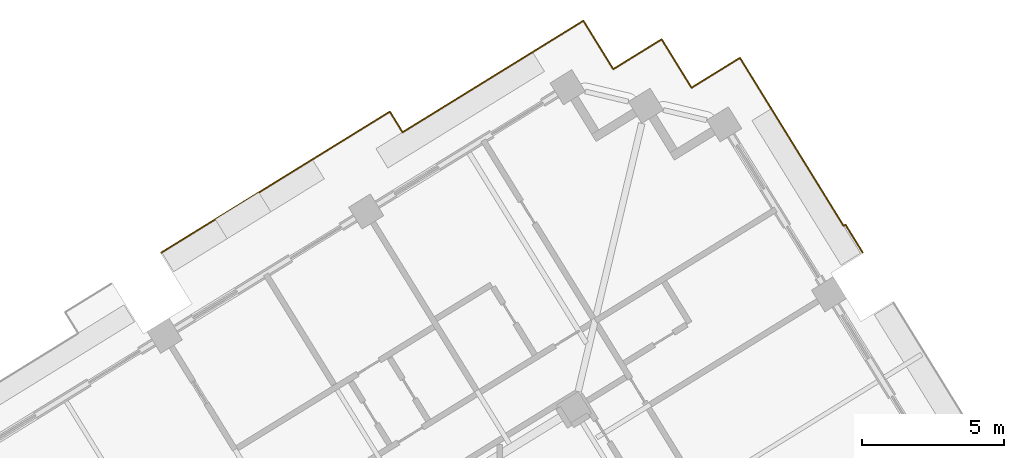
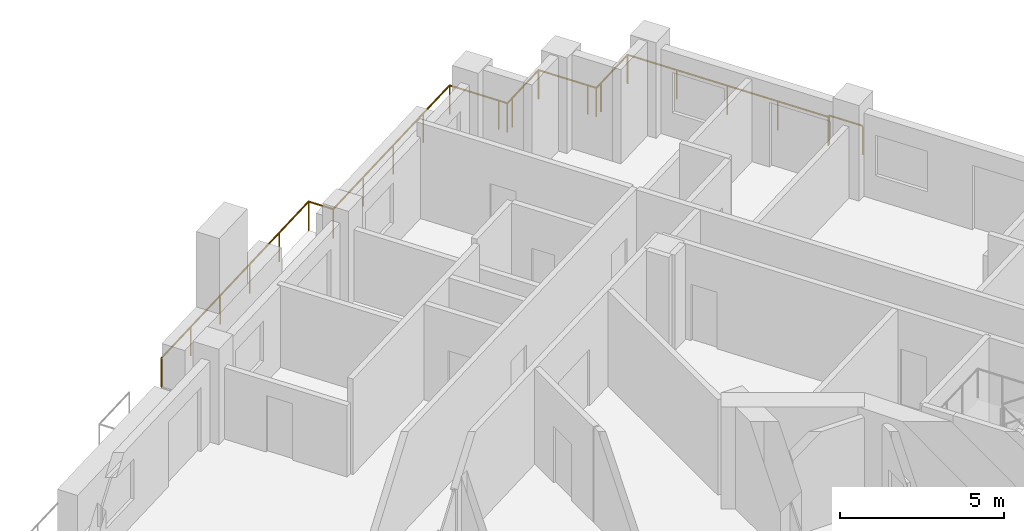
# One storey, part 21 of 22: 2 railings.
"""IFC4 building model written with IfcOpenShell, lengths in metres."""

from ifc_helpers import new_model, si_unit, direction, frame, origin, origin_2d, place, context, subcontext, project, spatial, circle, extrude, material, type_object, element, save


model = new_model("IFC4")

# Units and contexts
model_context = context("Model", 3, precision=1e-05, world=origin(), true_north=direction((0.0, 1.0)))
body_context = subcontext(model_context, "Body", "Model", "MODEL_VIEW")
ifc_project = project(units=[si_unit("LENGTHUNIT", "METRE"), si_unit("AREAUNIT", "SQUARE_METRE"), si_unit("VOLUMEUNIT", "CUBIC_METRE"), si_unit("PLANEANGLEUNIT", "RADIAN"), si_unit("MASSUNIT", "GRAM", prefix="KILO")], contexts=[model_context])

# Site, building, storey
site_placement = place(None, origin())
site = spatial("IfcSite", under=ifc_project, at=site_placement, CompositionType="ELEMENT")
building_placement = place(site_placement, origin())
building = spatial("IfcBuilding", under=site, at=building_placement, Name="Cantera Rosa Tower", CompositionType="ELEMENT")
storey_placement = place(building_placement, frame((0.0, 0.0, 178.0)))
storey = spatial("IfcBuildingStorey", under=building, at=storey_placement, Name="L39", CompositionType="ELEMENT", Elevation=178.0)

# Railings
ifc_material = material(Name="Stainless steel and laminated glass", Category="steel")
railing_type = type_object("IfcRailingType", Name="GUARD 1100", PredefinedType="BALUSTRADE", material=ifc_material)
railing_1_placement = place(storey_placement, frame((12.44873046875, 30.2958984375, 0.0)))
element("IfcRailing", 1, at=railing_1_placement, inside=storey, type_object=railing_type, Name="GUARD L39-14", PredefinedType="BALUSTRADE", context=body_context, shape_type="SweptSolid", body=[
    extrude(circle(Radius=0.030029296875, at=origin_2d()), frame((0.0, 0.0, 1.070068359375), z_axis=(0.524994468487, -0.851105638601, 0.0), x_axis=(0.851105638601, 0.524994468487, 0.0)), (0.0, 0.0, 1.0), 1.7001953125),
    extrude(circle(Radius=0.030029296875, at=origin_2d()), frame((0.892578125, -1.447021484375, 1.070068359375), z_axis=(0.524980961903, -0.85111396983, 0.0), x_axis=(0.85111396983, 0.524980961903, 0.0)), (0.0, 0.0, 1.0), 5.240234375),
    extrude(circle(Radius=0.030029296875, at=origin_2d()), frame((3.6435546875, -5.906982421875, 1.070068359375), z_axis=(0.851763497745, 0.523926468037, 0.0), x_axis=(-0.523926468037, 0.851763497745, 0.0)), (0.0, 0.0, 1.0), 0.07958984375),
    extrude(circle(Radius=0.030029296875, at=origin_2d()), frame((3.71142578125, -5.865234375, 1.070068359375), z_axis=(0.524950242429, -0.851132917336, 0.0), x_axis=(0.851132917336, 0.524950242429, 0.0)), (0.0, 0.0, 1.0), 1.149658203125),
    extrude(circle(Radius=0.02490234375, at=origin_2d()), origin(), (0.0, 0.0, 1.0), 1.0400390625),
    extrude(circle(Radius=0.02490234375, at=origin_2d()), frame((0.892578125, -1.447021484375, 0.0)), (0.0, 0.0, 1.0), 1.0400390625),
    extrude(circle(Radius=0.02490234375, at=origin_2d()), frame((1.8095703125, -2.93359375, 0.0)), (0.0, 0.0, 1.0), 1.0400390625),
    extrude(circle(Radius=0.02490234375, at=origin_2d()), frame((2.7265625, -4.42041015625, 0.0)), (0.0, 0.0, 1.0), 1.0400390625),
    extrude(circle(Radius=0.02490234375, at=origin_2d()), frame((3.6435546875, -5.906982421875, 0.0)), (0.0, 0.0, 1.0), 1.0400390625),
    extrude(circle(Radius=0.02490234375, at=origin_2d()), frame((3.71142578125, -5.865234375, 0.0)), (0.0, 0.0, 1.0), 1.0400390625),
    extrude(circle(Radius=0.02490234375, at=origin_2d()), frame((4.31494140625, -6.84375, 0.0)), (0.0, 0.0, 1.0), 1.0400390625),
])
railing_2_placement = place(storey_placement, frame((-7.895263671875, 23.447998046875, 0.0)))
element("IfcRailing", 2, at=railing_2_placement, inside=storey, type_object=railing_type, Name="GUARD L39-15", PredefinedType="BALUSTRADE", context=body_context, shape_type="SweptSolid", body=[
    extrude(circle(Radius=0.030029296875, at=origin_2d()), frame((0.0, 0.0, 1.070068359375), z_axis=(0.851115414327, 0.524978620035, 0.0), x_axis=(-0.524978620035, 0.851115414327, 0.0)), (0.0, 0.0, 1.0), 9.44189453125),
    extrude(circle(Radius=0.030029296875, at=origin_2d()), frame((8.0361328125, 4.956787109375, 1.070068359375), z_axis=(0.525120578111, -0.851027836469, 0.0), x_axis=(0.851027836469, 0.525120578111, 0.0)), (0.0, 0.0, 1.0), 0.851806640625),
    extrude(circle(Radius=0.030029296875, at=origin_2d()), frame((8.4833984375, 4.23193359375, 1.070068359375), z_axis=(0.851124537433, 0.524963829021, 0.0), x_axis=(-0.524963829021, 0.851124537433, 0.0)), (0.0, 0.0, 1.0), 5.76806640625),
    extrude(circle(Radius=0.030029296875, at=origin_2d()), frame((13.392822265625, 7.260009765625, 1.070068359375), z_axis=(0.851130227454, 0.524954603669, 0.0), x_axis=(-0.524954603669, 0.851130227454, 0.0)), (0.0, 0.0, 1.0), 1.699951171875),
    extrude(circle(Radius=0.030029296875, at=origin_2d()), frame((14.839599609375, 8.15234375, 1.070068359375), z_axis=(0.525058638144, -0.851066052965, 0.0), x_axis=(0.851066052965, 0.525058638144, 0.0)), (0.0, 0.0, 1.0), 1.699951171875),
    extrude(circle(Radius=0.030029296875, at=origin_2d()), frame((15.732177734375, 6.70556640625, 1.070068359375), z_axis=(0.524869051004, -0.85118298814, 0.0), x_axis=(0.85118298814, 0.524869051004, 0.0)), (0.0, 0.0, 1.0), 0.300048828125),
    extrude(circle(Radius=0.030029296875, at=origin_2d()), frame((15.8896484375, 6.4501953125, 1.070068359375), z_axis=(0.85118298814, 0.524869051004, 0.0), x_axis=(-0.524869051004, 0.85118298814, 0.0)), (0.0, 0.0, 1.0), 0.300048828125),
    extrude(circle(Radius=0.030029296875, at=origin_2d()), frame((16.14501953125, 6.607666015625, 1.070068359375), z_axis=(0.851066052965, 0.525058638144, 0.0), x_axis=(-0.525058638144, 0.851066052965, 0.0)), (0.0, 0.0, 1.0), 1.699951171875),
    extrude(circle(Radius=0.030029296875, at=origin_2d()), frame((17.591796875, 7.500244140625, 1.070068359375), z_axis=(0.524994468487, -0.851105638601, 0.0), x_axis=(0.851105638601, 0.524994468487, 0.0)), (0.0, 0.0, 1.0), 1.7001953125),
    extrude(circle(Radius=0.030029296875, at=origin_2d()), frame((18.484375, 6.05322265625, 1.070068359375), z_axis=(0.524869051004, -0.85118298814, 0.0), x_axis=(0.85118298814, 0.524869051004, 0.0)), (0.0, 0.0, 1.0), 0.300048828125),
    extrude(circle(Radius=0.030029296875, at=origin_2d()), frame((18.641845703125, 5.7978515625, 1.070068359375), z_axis=(0.85118298814, 0.524869051004, 0.0), x_axis=(-0.524869051004, 0.85118298814, 0.0)), (0.0, 0.0, 1.0), 0.300048828125),
    extrude(circle(Radius=0.030029296875, at=origin_2d()), frame((18.897216796875, 5.955322265625, 1.070068359375), z_axis=(0.851066052965, 0.525058638144, 0.0), x_axis=(-0.525058638144, 0.851066052965, 0.0)), (0.0, 0.0, 1.0), 1.699951171875),
    extrude(circle(Radius=0.02490234375, at=origin_2d()), origin(), (0.0, 0.0, 1.0), 1.0400390625),
    extrude(circle(Radius=0.02490234375, at=origin_2d()), frame((1.607177734375, 0.991455078125, 0.0)), (0.0, 0.0, 1.0), 1.0400390625),
    extrude(circle(Radius=0.02490234375, at=origin_2d()), frame((3.21435546875, 1.982666015625, 0.0)), (0.0, 0.0, 1.0), 1.0400390625),
    extrude(circle(Radius=0.02490234375, at=origin_2d()), frame((4.82177734375, 2.97412109375, 0.0)), (0.0, 0.0, 1.0), 1.0400390625),
    extrude(circle(Radius=0.02490234375, at=origin_2d()), frame((6.428955078125, 3.96533203125, 0.0)), (0.0, 0.0, 1.0), 1.0400390625),
    extrude(circle(Radius=0.02490234375, at=origin_2d()), frame((8.0361328125, 4.956787109375, 0.0)), (0.0, 0.0, 1.0), 1.0400390625),
    extrude(circle(Radius=0.02490234375, at=origin_2d()), frame((8.4833984375, 4.23193359375, 0.0)), (0.0, 0.0, 1.0), 1.0400390625),
    extrude(circle(Radius=0.02490234375, at=origin_2d()), frame((10.119873046875, 5.2412109375, 0.0)), (0.0, 0.0, 1.0), 1.0400390625),
    extrude(circle(Radius=0.02490234375, at=origin_2d()), frame((11.75634765625, 6.250732421875, 0.0)), (0.0, 0.0, 1.0), 1.0400390625),
    extrude(circle(Radius=0.02490234375, at=origin_2d()), frame((13.392822265625, 7.260009765625, 0.0)), (0.0, 0.0, 1.0), 1.0400390625),
    extrude(circle(Radius=0.02490234375, at=origin_2d()), frame((14.839599609375, 8.15234375, 0.0)), (0.0, 0.0, 1.0), 1.0400390625),
    extrude(circle(Radius=0.02490234375, at=origin_2d()), frame((15.732177734375, 6.70556640625, 0.0)), (0.0, 0.0, 1.0), 1.0400390625),
    extrude(circle(Radius=0.02490234375, at=origin_2d()), frame((15.8896484375, 6.4501953125, 0.0)), (0.0, 0.0, 1.0), 1.0400390625),
    extrude(circle(Radius=0.02490234375, at=origin_2d()), frame((16.14501953125, 6.607666015625, 0.0)), (0.0, 0.0, 1.0), 1.0400390625),
    extrude(circle(Radius=0.02490234375, at=origin_2d()), frame((17.591796875, 7.500244140625, 0.0)), (0.0, 0.0, 1.0), 1.0400390625),
    extrude(circle(Radius=0.02490234375, at=origin_2d()), frame((18.484375, 6.05322265625, 0.0)), (0.0, 0.0, 1.0), 1.0400390625),
    extrude(circle(Radius=0.02490234375, at=origin_2d()), frame((18.641845703125, 5.7978515625, 0.0)), (0.0, 0.0, 1.0), 1.0400390625),
    extrude(circle(Radius=0.02490234375, at=origin_2d()), frame((18.897216796875, 5.955322265625, 0.0)), (0.0, 0.0, 1.0), 1.0400390625),
    extrude(circle(Radius=0.02490234375, at=origin_2d()), frame((20.343994140625, 6.847900390625, 0.0)), (0.0, 0.0, 1.0), 1.0400390625),
])

save(model, "model.ifc")
